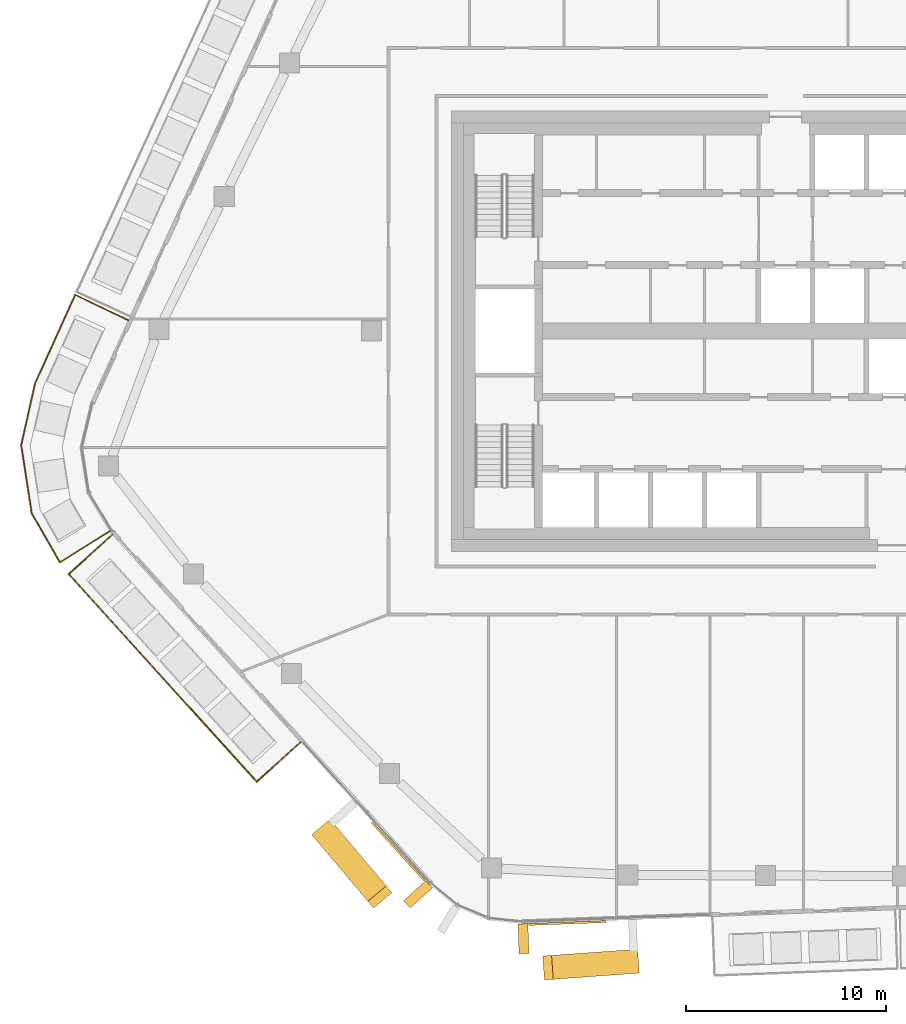
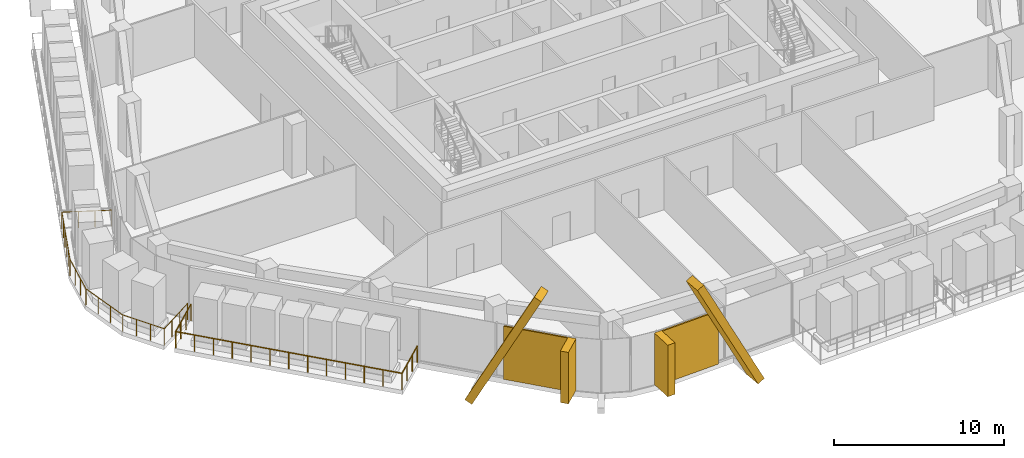
# One storey, part 18 of 24: 6 coverings, 2 railings, 2 elements without a shape of their own.
"""IFC4 building model written with IfcOpenShell, lengths in metres."""

import ifcopenshell
import ifcopenshell.guid

model = None  # the IFC model being written
_history = None  # IfcOwnerHistory: only IFC2X3 demands one
_inside = {}  # id of a spatial element -> (the spatial element, [elements in it])
_under = {}  # id of a project, library or spatial element -> (it, [spatial elements below it])
_declared = {}  # id of a project -> (the project, [libraries it declares])
_typed = {}  # id of a type object -> (the type object, [elements of that type])
_made_of = {}  # id of a material, layer set ... -> (it, [elements and type objects made of it])


def new_model(schema):
    """Start an empty IFC model of exactly this schema.

    Asked for "IFC4X3", IfcOpenShell would pick the latest addendum, in which some entities
    have other attributes; the version numbers below select the first issue.
    IFC2X3 requires an IfcOwnerHistory on every rooted entity: one is made here for all.
    """
    global model, _history
    if schema == "IFC4X3":
        model = ifcopenshell.file(schema_version=(4, 3, 0, 0))
    else:
        model = ifcopenshell.file(schema=schema)
    _inside.clear()
    _under.clear()
    _declared.clear()
    _typed.clear()
    _made_of.clear()
    _history = None
    if model.schema == "IFC2X3":
        org = make("IfcOrganization", Name="unknown")
        user = make(
            "IfcPersonAndOrganization",
            ThePerson=make("IfcPerson", FamilyName="unknown"),
            TheOrganization=org,
        )
        app = make(
            "IfcApplication",
            ApplicationDeveloper=org,
            Version="unknown",
            ApplicationFullName="unknown",
            ApplicationIdentifier="unknown",
        )
        _history = make(
            "IfcOwnerHistory",
            OwningUser=user,
            OwningApplication=app,
            ChangeAction="ADDED",
            CreationDate=0,
        )
    return model


def make(cls, **values):
    """One entity of the class cls with the attributes given. An attribute that is None is left unset."""
    return model.create_entity(
        cls, **{name: value for name, value in values.items() if value is not None}
    )


def rooted(cls, **values):
    """An entity with a GlobalId (a new one), such as an element, a storey or a relation."""
    return make(cls, GlobalId=ifcopenshell.guid.new(), OwnerHistory=_history, **values)


def si_unit(unit_type, name, prefix=None):
    """IfcSIUnit, for example si_unit("LENGTHUNIT", "METRE", prefix="MILLI")."""
    return make("IfcSIUnit", UnitType=unit_type, Prefix=prefix, Name=name)


def assignment(units):
    """IfcUnitAssignment: the units of a project."""
    return None if units is None else make("IfcUnitAssignment", Units=units)


def point(xyz):
    """IfcCartesianPoint."""
    return None if xyz is None else make("IfcCartesianPoint", Coordinates=xyz)


def direction(xyz):
    """IfcDirection."""
    return None if xyz is None else make("IfcDirection", DirectionRatios=xyz)


def frame(location, z_axis=None, x_axis=None):
    """IfcAxis2Placement3D, a coordinate frame: its origin and axes. An axis left out is left unset."""
    return make(
        "IfcAxis2Placement3D",
        Location=point(location),
        Axis=direction(z_axis),
        RefDirection=direction(x_axis),
    )


def frame_2d(location, x_axis=None):
    """IfcAxis2Placement2D, a coordinate frame in the plane: its origin and x axis."""
    return make(
        "IfcAxis2Placement2D", Location=point(location), RefDirection=direction(x_axis)
    )


def origin():
    """The frame at (0, 0, 0) with its axes left unset."""
    return frame((0.0, 0.0, 0.0))


def origin_2d():
    """The frame at (0, 0) in the plane with its x axis left unset."""
    return frame_2d((0.0, 0.0))


def place(relative_to, where):
    """IfcLocalPlacement: puts the frame where relative to a parent placement (None: the world)."""
    return make(
        "IfcLocalPlacement", PlacementRelTo=relative_to, RelativePlacement=where
    )


def context(
    kind, dimensions, precision=None, world=None, true_north=None, identifier=None
):
    """IfcGeometricRepresentationContext, for example the 3D "Model" context."""
    return make(
        "IfcGeometricRepresentationContext",
        ContextIdentifier=identifier,
        ContextType=kind,
        CoordinateSpaceDimension=dimensions,
        Precision=precision,
        WorldCoordinateSystem=world,
        TrueNorth=true_north,
    )


def subcontext(parent, identifier, kind, view, scale=None):
    """IfcGeometricRepresentationSubContext, for example "Body" below "Model"."""
    return make(
        "IfcGeometricRepresentationSubContext",
        ContextIdentifier=identifier,
        ContextType=kind,
        ParentContext=parent,
        TargetScale=scale,
        TargetView=view,
    )


def project(units=None, contexts=None):
    """IfcProject with its units and contexts."""
    return rooted(
        "IfcProject",
        Name="project",
        RepresentationContexts=contexts,
        UnitsInContext=assignment(units),
    )


def spatial(cls, under=None, at=None, **own):
    """A site, building, storey or space (cls), placed at a placement, below another one or the project."""
    s = rooted(cls, ObjectPlacement=at, **own)
    if under is not None:
        _under.setdefault(under.id(), (under, []))[1].append(s)
    return s


def profile(cls, at=None, kind="AREA", **sizes):
    """A parametric profile (cls). Its sizes go by their IFC names, for example OverallWidth=200.0."""
    return make(cls, ProfileType=kind, Position=at, **sizes)


def rectangle(**sizes):
    """IfcRectangleProfileDef."""
    return profile("IfcRectangleProfileDef", **sizes)


def circle(**sizes):
    """IfcCircleProfileDef."""
    return profile("IfcCircleProfileDef", **sizes)


def extrude(swept, where, along, depth):
    """IfcExtrudedAreaSolid: the profile swept, set in the frame where, extruded along a direction by depth."""
    return make(
        "IfcExtrudedAreaSolid",
        SweptArea=swept,
        Position=where,
        ExtrudedDirection=direction(along),
        Depth=depth,
    )


def shape(context_of_items, identifier, shape_type, items):
    """IfcShapeRepresentation: the items that make up one representation, for example the "Body"."""
    return make(
        "IfcShapeRepresentation",
        ContextOfItems=context_of_items,
        RepresentationIdentifier=identifier,
        RepresentationType=shape_type,
        Items=items,
    )


def material(Name=None, Category=None):
    """IfcMaterial."""
    return make("IfcMaterial", Name=Name, Category=Category)


def layer(
    of_material, thickness, ventilated=None, Name=None, Category=None, Priority=None
):
    """IfcMaterialLayer: one layer of a wall or slab, of a material (None: an air gap)."""
    return make(
        "IfcMaterialLayer",
        Material=of_material,
        LayerThickness=thickness,
        IsVentilated=ventilated,
        Name=Name,
        Category=Category,
        Priority=Priority,
    )


def layer_set(layers, Name=None):
    """IfcMaterialLayerSet."""
    return make("IfcMaterialLayerSet", MaterialLayers=layers, LayerSetName=Name)


def material_profile(
    of_material, cross_section, Name=None, Category=None, Priority=None
):
    """IfcMaterialProfile: a cross section and its material."""
    return make(
        "IfcMaterialProfile",
        Name=Name,
        Material=of_material,
        Profile=cross_section,
        Priority=Priority,
        Category=Category,
    )


def profile_set(profiles, Name=None, composite=None):
    """IfcMaterialProfileSet."""
    return make(
        "IfcMaterialProfileSet",
        Name=Name,
        MaterialProfiles=profiles,
        CompositeProfile=composite,
    )


def made_of(thing, what):
    """Note that an element or type object is made of a material, layer set ...; save() writes the relation."""
    if what is not None:
        _made_of.setdefault(what.id(), (what, []))[1].append(thing)
    return thing


def type_object(cls, material=None, **own):
    """A type object (cls), such as IfcWallType, which elements share."""
    return made_of(rooted(cls, **own), material)


def element(
    cls,
    number,
    at=None,
    inside=None,
    cuts=None,
    type_object=None,
    material=None,
    context=None,
    identifier="Body",
    shape_type=None,
    held_by="IfcProductDefinitionShape",
    body=None,
    shapes=None,
    **own,
):
    """One element of the class cls, such as IfcWall. Its Tag is "e" and its number.

    at: its placement. inside: the storey or other place that contains it. cuts: it is an
    opening in that element (IfcRelVoidsElement). A single representation is given by context,
    identifier, shape_type and body (its items); several are given by shapes. held_by: the class
    of the entity that holds the representations. save() writes the other relations.
    """
    e = rooted(cls, Tag="e%d" % number, ObjectPlacement=at, **own)
    if body is not None:
        shapes = [shape(context, identifier, shape_type, body)]
    if shapes is not None:
        e.Representation = make(held_by, Representations=shapes)
    if inside is not None:
        _inside.setdefault(inside.id(), (inside, []))[1].append(e)
    if cuts is not None:
        rooted(
            "IfcRelVoidsElement", RelatingBuildingElement=cuts, RelatedOpeningElement=e
        )
    if type_object is not None:
        _typed.setdefault(type_object.id(), (type_object, []))[1].append(e)
    return made_of(e, material)


def aggregate(whole, parts):
    """IfcRelAggregates: a whole, such as a stair, and the parts it consists of."""
    return rooted("IfcRelAggregates", RelatingObject=whole, RelatedObjects=parts)


def save(model, path):
    """Write the relations noted so far, then the file.

    IfcRelAggregates (storeys below a building ...), IfcRelContainedInSpatialStructure (elements
    in a storey), IfcRelDefinesByType, IfcRelAssociatesMaterial and IfcRelDeclares: one each for
    every whole, place, type object, material and project.
    """
    for whole, parts in _under.values():
        aggregate(whole, parts)
    for where, things in _inside.values():
        rooted(
            "IfcRelContainedInSpatialStructure",
            RelatedElements=things,
            RelatingStructure=where,
        )
    for kind, things in _typed.values():
        rooted("IfcRelDefinesByType", RelatedObjects=things, RelatingType=kind)
    for what, things in _made_of.values():
        rooted("IfcRelAssociatesMaterial", RelatedObjects=things, RelatingMaterial=what)
    for by, libraries in _declared.values():
        rooted("IfcRelDeclares", RelatingContext=by, RelatedDefinitions=libraries)
    model.write(path)


model = new_model("IFC4")

# Units and contexts
model_context = context("Model", 3, precision=1e-05, world=origin(), true_north=direction((0.0, 1.0)))
body_context = subcontext(model_context, "Body", "Model", "MODEL_VIEW")
ifc_project = project(units=[si_unit("LENGTHUNIT", "METRE"), si_unit("AREAUNIT", "SQUARE_METRE"), si_unit("VOLUMEUNIT", "CUBIC_METRE"), si_unit("PLANEANGLEUNIT", "RADIAN"), si_unit("MASSUNIT", "GRAM", prefix="KILO")], contexts=[model_context])

# Site, building, storey
site_placement = place(None, origin())
site = spatial("IfcSite", under=ifc_project, at=site_placement, CompositionType="ELEMENT")
building_placement = place(site_placement, origin())
building = spatial("IfcBuilding", under=site, at=building_placement, Name="Dongbaek Canopy Tower", CompositionType="ELEMENT")
storey_placement = place(building_placement, frame((0.0, 0.0, 311.0)))
storey = spatial("IfcBuildingStorey", under=building, at=storey_placement, Name="L66", CompositionType="ELEMENT", Elevation=311.0)

# Railings
ifc_material_1 = material(Name="Stainless steel", Category="steel")
railing_type = type_object("IfcRailingType", Name="Balcony balustrade 1200", PredefinedType="BALUSTRADE", material=ifc_material_1)
railing_1_placement = place(storey_placement, frame((-30.14013671875, 0.542236328125, 0.0)))
element("IfcRailing", 1, at=railing_1_placement, inside=storey, type_object=railing_type, Name="Balcony guard L66 6", PredefinedType="BALUSTRADE", context=body_context, shape_type="SweptSolid", body=[
    extrude(circle(Radius=0.02392578125, at=origin_2d()), frame((0.0, 0.0, 1.17578125), z_axis=(-0.900809276441, 0.434214978413, 0.0), x_axis=(-0.434214978413, -0.900809276441, 0.0)), (0.0, 0.0, 1.0), 2.940673828125),
    extrude(circle(Radius=0.02392578125, at=origin_2d()), frame((-2.64892578125, 1.27685546875, 1.17578125), z_axis=(-0.413113515831, -0.910679539156, 0.0), x_axis=(0.910679539156, -0.413113515831, 0.0)), (0.0, 0.0, 1.0), 4.856689453125),
    extrude(circle(Radius=0.02392578125, at=origin_2d()), frame((-4.6552734375, -3.14599609375, 1.17578125), z_axis=(-0.219794695374, -0.975546150567, 0.0), x_axis=(0.975546150567, -0.219794695374, 0.0)), (0.0, 0.0, 1.0), 3.166748046875),
    extrude(circle(Radius=0.02392578125, at=origin_2d()), frame((-5.351318359375, -6.2353515625, 1.17578125), z_axis=(0.152977389542, -0.988229689034, 0.0), x_axis=(0.988229689034, 0.152977389542, 0.0)), (0.0, 0.0, 1.0), 3.44873046875),
    extrude(circle(Radius=0.02392578125, at=origin_2d()), frame((-4.82373046875, -9.6435546875, 1.17578125), z_axis=(0.498856538672, -0.866684575739, 0.0), x_axis=(0.866684575739, 0.498856538672, 0.0)), (0.0, 0.0, 1.0), 2.832275390625),
    extrude(circle(Radius=0.02392578125, at=origin_2d()), frame((-3.410888671875, -12.09814453125, 1.17578125), z_axis=(0.846103874328, 0.533018042703, 0.0), x_axis=(-0.533018042703, 0.846103874328, 0.0)), (0.0, 0.0, 1.0), 2.940673828125),
    extrude(circle(Radius=0.02099609375, at=origin_2d()), origin(), (0.0, 0.0, 1.0), 1.15185546875),
    extrude(circle(Radius=0.02099609375, at=origin_2d()), frame((-0.883056640625, 0.425537109375, 0.0)), (0.0, 0.0, 1.0), 1.15185546875),
    extrude(circle(Radius=0.02099609375, at=origin_2d()), frame((-1.765869140625, 0.851318359375, 0.0)), (0.0, 0.0, 1.0), 1.15185546875),
    extrude(circle(Radius=0.02099609375, at=origin_2d()), frame((-2.64892578125, 1.27685546875, 0.0)), (0.0, 0.0, 1.0), 1.15185546875),
    extrude(circle(Radius=0.02099609375, at=origin_2d()), frame((-3.05029296875, 0.392333984375, 0.0)), (0.0, 0.0, 1.0), 1.15185546875),
    extrude(circle(Radius=0.02099609375, at=origin_2d()), frame((-3.451416015625, -0.4921875, 0.0)), (0.0, 0.0, 1.0), 1.15185546875),
    extrude(circle(Radius=0.02099609375, at=origin_2d()), frame((-3.852783203125, -1.376953125, 0.0)), (0.0, 0.0, 1.0), 1.15185546875),
    extrude(circle(Radius=0.02099609375, at=origin_2d()), frame((-4.25390625, -2.261474609375, 0.0)), (0.0, 0.0, 1.0), 1.15185546875),
    extrude(circle(Radius=0.02099609375, at=origin_2d()), frame((-4.6552734375, -3.14599609375, 0.0)), (0.0, 0.0, 1.0), 1.15185546875),
    extrude(circle(Radius=0.02099609375, at=origin_2d()), frame((-4.88720703125, -4.17578125, 0.0)), (0.0, 0.0, 1.0), 1.15185546875),
    extrude(circle(Radius=0.02099609375, at=origin_2d()), frame((-5.119384765625, -5.20556640625, 0.0)), (0.0, 0.0, 1.0), 1.15185546875),
    extrude(circle(Radius=0.02099609375, at=origin_2d()), frame((-5.351318359375, -6.2353515625, 0.0)), (0.0, 0.0, 1.0), 1.15185546875),
    extrude(circle(Radius=0.02099609375, at=origin_2d()), frame((-5.175537109375, -7.371337890625, 0.0)), (0.0, 0.0, 1.0), 1.15185546875),
    extrude(circle(Radius=0.02099609375, at=origin_2d()), frame((-4.99951171875, -8.507568359375, 0.0)), (0.0, 0.0, 1.0), 1.15185546875),
    extrude(circle(Radius=0.02099609375, at=origin_2d()), frame((-4.82373046875, -9.6435546875, 0.0)), (0.0, 0.0, 1.0), 1.15185546875),
    extrude(circle(Radius=0.02099609375, at=origin_2d()), frame((-4.352783203125, -10.461669921875, 0.0)), (0.0, 0.0, 1.0), 1.15185546875),
    extrude(circle(Radius=0.02099609375, at=origin_2d()), frame((-3.8818359375, -11.280029296875, 0.0)), (0.0, 0.0, 1.0), 1.15185546875),
    extrude(circle(Radius=0.02099609375, at=origin_2d()), frame((-3.410888671875, -12.09814453125, 0.0)), (0.0, 0.0, 1.0), 1.15185546875),
    extrude(circle(Radius=0.02099609375, at=origin_2d()), frame((-2.58154296875, -11.57568359375, 0.0)), (0.0, 0.0, 1.0), 1.15185546875),
    extrude(circle(Radius=0.02099609375, at=origin_2d()), frame((-1.752197265625, -11.05322265625, 0.0)), (0.0, 0.0, 1.0), 1.15185546875),
    extrude(circle(Radius=0.02099609375, at=origin_2d()), frame((-0.9228515625, -10.53076171875, 0.0)), (0.0, 0.0, 1.0), 1.15185546875),
])
railing_2_placement = place(storey_placement, frame((-30.932373046875, -10.164306640625, 0.0)))
element("IfcRailing", 2, at=railing_2_placement, inside=storey, type_object=railing_type, Name="Balcony guard L66 3", PredefinedType="BALUSTRADE", context=body_context, shape_type="SweptSolid", body=[
    extrude(circle(Radius=0.02392578125, at=origin_2d()), frame((0.0, 0.0, 1.17578125), z_axis=(-0.741279984861, -0.671195935659, 0.0), x_axis=(0.671195935659, -0.741279984861, 0.0)), (0.0, 0.0, 1.0), 2.940185546875),
    extrude(circle(Radius=0.02392578125, at=origin_2d()), frame((-2.179443359375, -1.973388671875, 1.17578125), z_axis=(0.671228063457, -0.741250893307, 0.0), x_axis=(0.741250893307, 0.671228063457, 0.0)), (0.0, 0.0, 1.0), 13.99169921875),
    extrude(circle(Radius=0.02392578125, at=origin_2d()), frame((7.212158203125, -12.3447265625, 1.17578125), z_axis=(0.741279984861, 0.671195935659, 0.0), x_axis=(-0.671195935659, 0.741279984861, 0.0)), (0.0, 0.0, 1.0), 2.940185546875),
    extrude(circle(Radius=0.02099609375, at=origin_2d()), origin(), (0.0, 0.0, 1.0), 1.15185546875),
    extrude(circle(Radius=0.02099609375, at=origin_2d()), frame((-0.7265625, -0.65771484375, 0.0)), (0.0, 0.0, 1.0), 1.15185546875),
    extrude(circle(Radius=0.02099609375, at=origin_2d()), frame((-1.452880859375, -1.315673828125, 0.0)), (0.0, 0.0, 1.0), 1.15185546875),
    extrude(circle(Radius=0.02099609375, at=origin_2d()), frame((-2.179443359375, -1.973388671875, 0.0)), (0.0, 0.0, 1.0), 1.15185546875),
    extrude(circle(Radius=0.02099609375, at=origin_2d()), frame((-1.396728515625, -2.837646484375, 0.0)), (0.0, 0.0, 1.0), 1.15185546875),
    extrude(circle(Radius=0.02099609375, at=origin_2d()), frame((-0.6142578125, -3.701904296875, 0.0)), (0.0, 0.0, 1.0), 1.15185546875),
    extrude(circle(Radius=0.02099609375, at=origin_2d()), frame((0.16845703125, -4.566162109375, 0.0)), (0.0, 0.0, 1.0), 1.15185546875),
    extrude(circle(Radius=0.02099609375, at=origin_2d()), frame((0.951171875, -5.430419921875, 0.0)), (0.0, 0.0, 1.0), 1.15185546875),
    extrude(circle(Radius=0.02099609375, at=origin_2d()), frame((1.733642578125, -6.294677734375, 0.0)), (0.0, 0.0, 1.0), 1.15185546875),
    extrude(circle(Radius=0.02099609375, at=origin_2d()), frame((2.516357421875, -7.1591796875, 0.0)), (0.0, 0.0, 1.0), 1.15185546875),
    extrude(circle(Radius=0.02099609375, at=origin_2d()), frame((3.299072265625, -8.0234375, 0.0)), (0.0, 0.0, 1.0), 1.15185546875),
    extrude(circle(Radius=0.02099609375, at=origin_2d()), frame((4.08154296875, -8.8876953125, 0.0)), (0.0, 0.0, 1.0), 1.15185546875),
    extrude(circle(Radius=0.02099609375, at=origin_2d()), frame((4.8642578125, -9.751953125, 0.0)), (0.0, 0.0, 1.0), 1.15185546875),
    extrude(circle(Radius=0.02099609375, at=origin_2d()), frame((5.64697265625, -10.6162109375, 0.0)), (0.0, 0.0, 1.0), 1.15185546875),
    extrude(circle(Radius=0.02099609375, at=origin_2d()), frame((6.429443359375, -11.48046875, 0.0)), (0.0, 0.0, 1.0), 1.15185546875),
    extrude(circle(Radius=0.02099609375, at=origin_2d()), frame((7.212158203125, -12.3447265625, 0.0)), (0.0, 0.0, 1.0), 1.15185546875),
    extrude(circle(Radius=0.02099609375, at=origin_2d()), frame((7.938720703125, -11.68701171875, 0.0)), (0.0, 0.0, 1.0), 1.15185546875),
    extrude(circle(Radius=0.02099609375, at=origin_2d()), frame((8.6650390625, -11.029052734375, 0.0)), (0.0, 0.0, 1.0), 1.15185546875),
    extrude(circle(Radius=0.02099609375, at=origin_2d()), frame((9.3916015625, -10.371337890625, 0.0)), (0.0, 0.0, 1.0), 1.15185546875),
])

# Curtain wall, covering
ifc_material_2 = material(Name="Aluminium 6063-T6 pale anodised", Category="aluminium")
ifc_layer_1 = layer(ifc_material_2, 0.199951171875)
ifc_layer_set_1 = layer_set([ifc_layer_1], Name="CW-1 unitised tower curtain wall")
curtain_wall_type = type_object("IfcCurtainWallType", Name="CW-1 unitised tower curtain wall", PredefinedType="NOTDEFINED", material=ifc_layer_set_1)
curtain_wall_1_placement = place(storey_placement, origin())
curtain_wall_1 = element("IfcCurtainWall", 3, at=curtain_wall_1_placement, inside=storey, type_object=curtain_wall_type, Name="CW-1 curtain wall F3.1", PredefinedType="NOTDEFINED")
ifc_material_3 = material(Name="Aluminium 6063-T6 pale metal fin", Category="aluminium")
ifc_material_profile_1 = material_profile(ifc_material_3, rectangle(XDim=1.199951171875, YDim=0.5, at=origin_2d()), Name="Crease fin CF1 500 x 1200 pale metal")
ifc_profile_set_1 = profile_set([ifc_material_profile_1], Name="Aluminium 6063-T6 pale metal fin")
covering_type_1 = type_object("IfcCoveringType", Name="Crease fin CF1 500 x 1200 pale metal", PredefinedType="CLADDING", material=ifc_profile_set_1)
covering_1_placement = place(storey_placement, frame((-20.37548828125, -24.941650390625, -0.18994140625), z_axis=(0.296415868658, -0.351797067869, 0.887905657064), x_axis=(0.764733690768, 0.644346476831, 0.0)))
covering_1 = element("IfcCovering", 4, at=covering_1_placement, type_object=covering_type_1, Name="Crease fin L66 L68 F3", PredefinedType="CLADDING", context=body_context, shape_type="SweptSolid", body=[
    extrude(rectangle(XDim=1.199951171875, YDim=0.5, at=origin_2d()), origin(), (0.0, 0.0, 1.0), 9.46044921875),
])

curtain_wall_2_placement = place(storey_placement, origin())
curtain_wall_2 = element("IfcCurtainWall", 5, at=curtain_wall_2_placement, inside=storey, type_object=curtain_wall_type, Name="CW-1 curtain wall F4.1", PredefinedType="NOTDEFINED")
covering_2_placement = place(storey_placement, frame((-4.876953125, -31.4912109375, -0.18994140625), z_axis=(-0.455103303541, -0.033000614612, 0.889826917182), x_axis=(0.072322472033, -0.997381301228, 0.0)))
covering_2 = element("IfcCovering", 6, at=covering_2_placement, type_object=covering_type_1, Name="Crease fin L66 L68 F4", PredefinedType="CLADDING", context=body_context, shape_type="SweptSolid", body=[
    extrude(rectangle(XDim=1.199951171875, YDim=0.5, at=origin_2d()), origin(), (0.0, 0.0, 1.0), 9.43994140625),
])

# Covering
ifc_material_4 = material(Name="Perforated aluminium 6063-T6 pale metal screen", Category="aluminium")
ifc_layer_2 = layer(ifc_material_4, 0.10009765625)
ifc_layer_set_2 = layer_set([ifc_layer_2], Name="Facet screen FS1 100 pale metal")
covering_type_2 = type_object("IfcCoveringType", Name="Facet screen FS1 100 pale metal", PredefinedType="CLADDING", material=ifc_layer_set_2)
covering_3_placement = place(storey_placement, frame((-16.654296875, -26.00048828125, 0.0), z_axis=(0.0, 0.0, 1.0), x_axis=(0.671223946494, -0.741254621337, 0.0)))
covering_3 = element("IfcCovering", 7, at=covering_3_placement, type_object=covering_type_2, Name="Facet screen L66 F3", PredefinedType="CLADDING", context=body_context, shape_type="SweptSolid", body=[
    extrude(rectangle(XDim=3.912841796875, YDim=0.10009765625, at=origin_2d()), origin(), (0.0, 0.0, 1.0), 3.820068359375),
])

covering_4_placement = place(storey_placement, frame((-8.201904296875, -29.5703125, 0.0), z_axis=(0.0, 0.0, 1.0), x_axis=(0.99928861722, 0.037712855819, 0.0)))
covering_4 = element("IfcCovering", 8, at=covering_4_placement, type_object=covering_type_2, Name="Facet screen L66 F4", PredefinedType="CLADDING", context=body_context, shape_type="SweptSolid", body=[
    extrude(rectangle(XDim=3.868896484375, YDim=0.10009765625, at=origin_2d()), origin(), (0.0, 0.0, 1.0), 3.820068359375),
])

ifc_material_5 = material(Name="Aluminium 6063-T6 pale metal fin", Category="aluminium")
ifc_material_profile_2 = material_profile(ifc_material_5, rectangle(XDim=1.5, YDim=0.5, at=origin_2d()), Name="Fin FN1 500 x 1500 pale metal")
ifc_profile_set_2 = profile_set([ifc_material_profile_2], Name="Aluminium 6063-T6 pale metal fin")
covering_type_3 = type_object("IfcCoveringType", Name="Fin FN1 500 x 1500 pale metal", PredefinedType="CLADDING", material=ifc_profile_set_2)
covering_5_placement = place(storey_placement, frame((-15.66845703125, -28.13818359375, 0.1201171875), z_axis=(0.0, 0.0, 1.0), x_axis=(-0.741254096478, -0.671224526112, 0.0)))
covering_5 = element("IfcCovering", 9, at=covering_5_placement, type_object=covering_type_3, Name="Fin F3.1.3", PredefinedType="CLADDING", context=body_context, shape_type="SweptSolid", body=[
    extrude(rectangle(XDim=1.5, YDim=0.5, at=origin_2d()), origin(), (0.0, 0.0, 1.0), 3.699951171875),
])

aggregate(curtain_wall_1, [covering_5, covering_1, covering_3])

covering_6_placement = place(storey_placement, frame((-10.398193359375, -30.357666015625, 0.1201171875), z_axis=(0.0, 0.0, 1.0), x_axis=(0.037712000431, -0.999288649502, 0.0)))
covering_6 = element("IfcCovering", 10, at=covering_6_placement, type_object=covering_type_3, Name="Fin F4.1.1", PredefinedType="CLADDING", context=body_context, shape_type="SweptSolid", body=[
    extrude(rectangle(XDim=1.5, YDim=0.5, at=origin_2d()), origin(), (0.0, 0.0, 1.0), 3.699951171875),
])

aggregate(curtain_wall_2, [covering_6, covering_2, covering_4])

save(model, "model.ifc")
